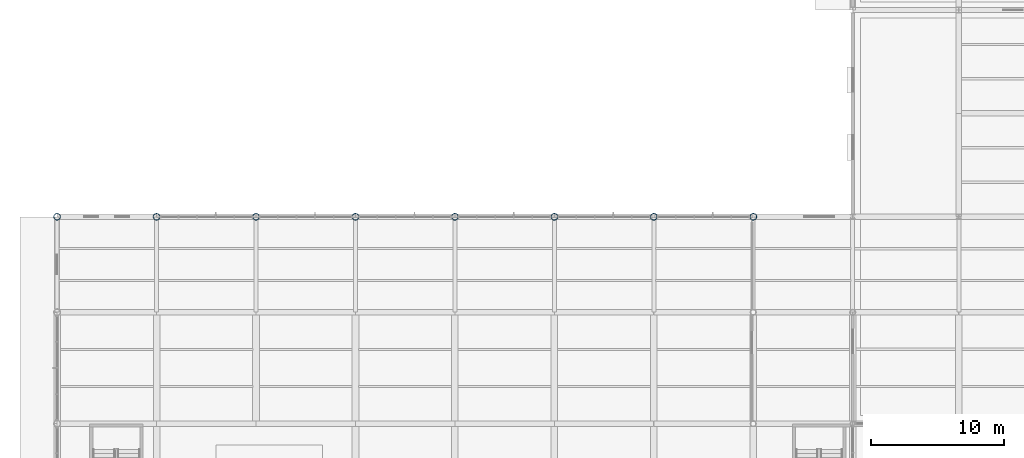
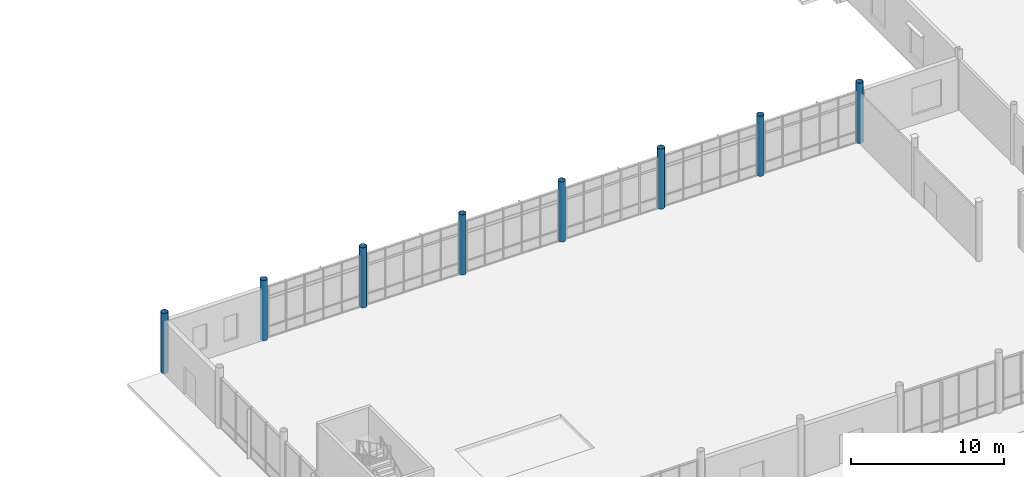
# One storey, part 3 of 82: 8 columns.
"""IFC4 building model written with IfcOpenShell, lengths in metres."""

from ifc_helpers import new_model, si_unit, direction, frame, origin, origin_2d, place, context, subcontext, project, spatial, hollow_circle, extrude, material, material_profile, profile_set, type_object, element, save


model = new_model("IFC4")

# Units and contexts
model_context = context("Model", 3, precision=1e-05, world=origin(), true_north=direction((0.0, 1.0)))
body_context = subcontext(model_context, "Body", "Model", "MODEL_VIEW")
ifc_project = project(units=[si_unit("LENGTHUNIT", "METRE"), si_unit("AREAUNIT", "SQUARE_METRE"), si_unit("VOLUMEUNIT", "CUBIC_METRE"), si_unit("PLANEANGLEUNIT", "RADIAN"), si_unit("MASSUNIT", "GRAM", prefix="KILO")], contexts=[model_context])

# Site, building, storey
site_placement = place(None, origin())
site = spatial("IfcSite", under=ifc_project, at=site_placement, CompositionType="ELEMENT")
building_placement = place(site_placement, origin())
building = spatial("IfcBuilding", under=site, at=building_placement, Name="Yukiwa Park Conservatory and Herbarium", CompositionType="ELEMENT")
storey_placement = place(building_placement, origin())
storey = spatial("IfcBuildingStorey", under=building, at=storey_placement, Name="L00", CompositionType="ELEMENT", Elevation=0.0)

# Columns
ifc_material = material(Name="Steel Q355D", Category="steel")
ifc_material_profile = material_profile(ifc_material, hollow_circle(Radius=0.25390625, WallThickness=0.01611328125, at=origin_2d()), Name="CHS 508x16")
ifc_profile_set = profile_set([ifc_material_profile], Name="Steel Q355D")
column_type = type_object("IfcColumnType", Name="COL-CV-CHS508", PredefinedType="COLUMN", material=ifc_profile_set)
for number, where, z_axis, x_axis, name in (
    (1, (0.0, 31.199951171875, 0.0), (0.0, 0.0, 1.0), (1.0, 0.0, 0.0), "L00 column V1-X0-Y312"),
    (2, (7.5, 31.199951171875, 0.0), (0.0, 0.0, 1.0), (1.0, 0.0, 0.0), "L00 column V1-X75-Y312"),
    (3, (15.0, 31.199951171875, 0.0), (0.0, 0.0, 1.0), (1.0, 0.0, 0.0), "L00 column V1-X150-Y312"),
    (4, (22.5, 31.199951171875, 0.0), (0.0, 0.0, 1.0), (1.0, 0.0, 0.0), "L00 column V1-X225-Y312"),
    (5, (30.0, 31.199951171875, 0.0), (0.0, 0.0, 1.0), (1.0, 0.0, 0.0), "L00 column V1-X300-Y312"),
    (6, (37.5, 31.199951171875, 0.0), (0.0, 0.0, 1.0), (1.0, 0.0, 0.0), "L00 column V1-X375-Y312"),
    (7, (45.0, 31.199951171875, 0.0), (0.0, 0.0, 1.0), (1.0, 0.0, 0.0), "L00 column V1-X450-Y312"),
    (8, (52.5, 31.199951171875, 0.0), (0.0, 0.0, 1.0), (1.0, 0.0, 0.0), "L00 column V1-X525-Y312"),
):
    element("IfcColumn", number, at=place(storey_placement, frame(where, z_axis=z_axis, x_axis=x_axis)), inside=storey, type_object=column_type, Name=name, PredefinedType="COLUMN", context=body_context, shape_type="SweptSolid", body=[
        extrude(hollow_circle(Radius=0.25390625, WallThickness=0.01611328125, at=origin_2d()), origin(), (0.0, 0.0, 1.0), 4.800048828125),
    ])

save(model, "model.ifc")
